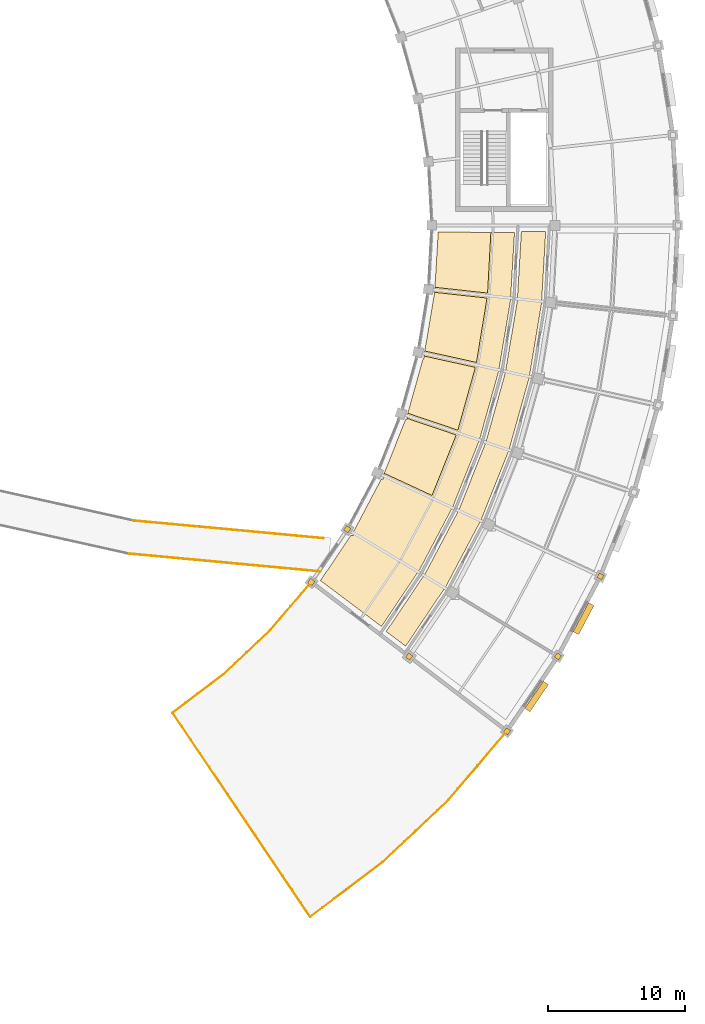
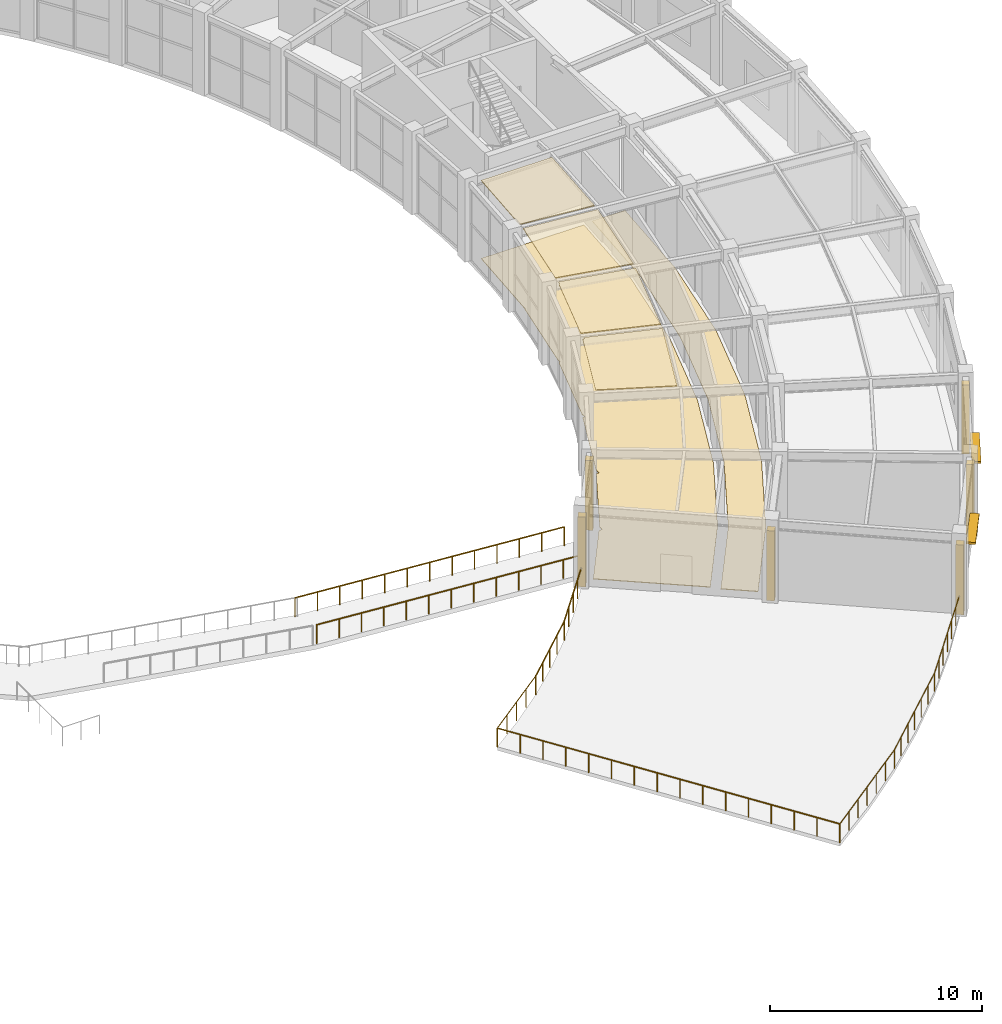
# One storey, part 97 of 100: 12 coverings, 9 railings, 2 shading devices.
"""IFC4 building model written with IfcOpenShell, lengths in metres."""

from ifc_helpers import new_model, si_unit, direction, frame, origin, origin_2d, place, context, subcontext, project, spatial, polyline, rectangle, circle, outline, extrude, material, layer, layer_set, type_object, element, save


model = new_model("IFC4")

# Units and contexts
model_context = context("Model", 3, precision=1e-05, world=origin(), true_north=direction((0.0, 1.0)))
body_context = subcontext(model_context, "Body", "Model", "MODEL_VIEW")
ifc_project = project(units=[si_unit("LENGTHUNIT", "METRE"), si_unit("AREAUNIT", "SQUARE_METRE"), si_unit("VOLUMEUNIT", "CUBIC_METRE"), si_unit("PLANEANGLEUNIT", "RADIAN"), si_unit("MASSUNIT", "GRAM", prefix="KILO")], contexts=[model_context])

# Site, building, storey
site_placement = place(None, origin())
site = spatial("IfcSite", under=ifc_project, at=site_placement, CompositionType="ELEMENT")
building_placement = place(site_placement, origin())
building = spatial("IfcBuilding", under=site, at=building_placement, Name="Tarnveldt Headland Concert Hall", CompositionType="ELEMENT")
storey_placement = place(building_placement, frame((0.0, 0.0, 4.800048828125)))
storey = spatial("IfcBuildingStorey", under=building, at=storey_placement, Name="L01", CompositionType="ELEMENT", Elevation=4.800048828125)

# Coverings
ifc_material_1 = material(Name="Micro-perforated mvule acoustic ceiling panel", Category="timber")
ifc_layer_1 = layer(ifc_material_1, 0.050048828125, Name="Micro-perforated mvule acoustic ceiling panel", Category="timber")
ifc_layer_set_1 = layer_set([ifc_layer_1], Name="Micro-perforated mvule acoustic ceiling panel")
covering_type_1 = type_object("IfcCoveringType", Name="CV-CEIL50", PredefinedType="CEILING", material=ifc_layer_set_1)
covering_1_placement = place(storey_placement, frame((0.0, 0.0, 4.489990234375)))
element("IfcCovering", 1, at=covering_1_placement, inside=storey, type_object=covering_type_1, Name="Acoustic mvule ceiling L01-37-226", PredefinedType="CEILING", context=body_context, shape_type="SweptSolid", body=[
    extrude(outline(polyline([(158.68798828125, 45.889892578125), (162.285400390625, 44.6748046875), (160.516357421875, 40.24658203125), (157.015380859375, 41.87060546875), (158.5751953125, 45.787353515625), (158.68798828125, 45.787353515625), (158.68798828125, 45.889892578125)])), origin(), (0.0, 0.0, 1.0), 0.050048828125),
])
covering_2_placement = place(storey_placement, frame((0.0, 0.0, 4.489990234375)))
element("IfcCovering", 2, at=covering_2_placement, inside=storey, type_object=covering_type_1, Name="Acoustic mvule ceiling L01-37-227", PredefinedType="CEILING", context=body_context, shape_type="SweptSolid", body=[
    extrude(outline(polyline([(159.86767578125, 50.28369140625), (159.939697265625, 50.28369140625), (159.939697265625, 50.445068359375), (163.6826171875, 49.619140625), (162.40380859375, 45.025146484375), (158.742919921875, 46.261962890625), (159.86767578125, 50.28369140625)])), origin(), (0.0, 0.0, 1.0), 0.050048828125),
])
covering_3_placement = place(storey_placement, frame((0.0, 0.0, 4.489990234375)))
element("IfcCovering", 3, at=covering_3_placement, inside=storey, type_object=covering_type_1, Name="Acoustic mvule ceiling L01-37-228", PredefinedType="CEILING", context=body_context, shape_type="SweptSolid", body=[
    extrude(outline(polyline([(160.702392578125, 55.095703125), (160.70263671875, 55.103515625), (164.535888671875, 54.685791015625), (163.762451171875, 49.98046875), (159.984375, 50.814208984375), (160.668701171875, 54.889404296875), (160.69677734375, 54.889404296875), (160.69677734375, 55.056396484375), (160.7001953125, 55.076904296875), (160.702392578125, 55.095703125)])), origin(), (0.0, 0.0, 1.0), 0.050048828125),
])
covering_4_placement = place(storey_placement, frame((0.0, 0.0, 4.489990234375)))
element("IfcCovering", 4, at=covering_4_placement, inside=storey, type_object=covering_type_1, Name="Acoustic mvule ceiling L01-37-229", PredefinedType="CEILING", context=body_context, shape_type="SweptSolid", body=[
    extrude(outline(polyline([(164.575927734375, 55.053466796875), (160.72509765625, 55.473388671875), (160.96826171875, 59.5166015625), (164.81689453125, 59.489501953125), (164.575927734375, 55.053466796875)])), origin(), (0.0, 0.0, 1.0), 0.050048828125),
])
ifc_material_2 = material(Name="Polished coral-aggregate cementitious terrazzo flooring", Category="concrete")
ifc_layer_2 = layer(ifc_material_2, 0.034912109375, Name="Polished coral-aggregate cementitious terrazzo flooring", Category="concrete")
ifc_layer_set_2 = layer_set([ifc_layer_2], Name="Polished coral-aggregate cementitious terrazzo flooring")
covering_type_2 = type_object("IfcCoveringType", Name="CV-FLOR35", PredefinedType="FLOORING", material=ifc_layer_set_2)
covering_5_placement = place(storey_placement, origin())
element("IfcCovering", 5, at=covering_5_placement, inside=storey, type_object=covering_type_2, Name="Architectural flooring L01-34-61", PredefinedType="FLOORING", context=body_context, shape_type="SweptSolid", body=[
    extrude(outline(polyline([(157.163818359375, 30.30029296875), (160.015625, 34.532470703125), (160.025390625, 34.549072265625), (162.4892578125, 39.2119140625), (162.497314453125, 39.2294921875), (164.44970703125, 44.128662109375), (164.455810546875, 44.14697265625), (165.87451171875, 49.226318359375), (165.878662109375, 49.2451171875), (166.74755859375, 54.447021484375), (166.749755859375, 54.466064453125), (167.049072265625, 59.560546875), (168.82861328125, 59.55126953125), (168.517578125, 54.257568359375), (167.614013671875, 48.84912109375), (166.13916015625, 43.568115234375), (164.109375, 38.474609375), (161.547607421875, 33.62646484375), (158.58447265625, 29.228515625), (157.163818359375, 30.30029296875)])), origin(), (0.0, 0.0, 1.0), 0.034912109375),
])
covering_6_placement = place(storey_placement, origin())
element("IfcCovering", 6, at=covering_6_placement, inside=storey, type_object=covering_type_2, Name="Architectural flooring L01-37-63", PredefinedType="FLOORING", context=body_context, shape_type="SweptSolid", body=[
    extrude(outline(polyline([(154.8349609375, 37.7158203125), (156.805419921875, 41.452880859375), (156.956298828125, 41.452880859375), (156.956298828125, 41.739501953125), (156.97998046875, 41.7841796875), (156.988037109375, 41.801513671875), (158.5751953125, 45.787353515625), (158.68798828125, 45.787353515625), (158.68798828125, 46.071044921875), (158.689453125, 46.07470703125), (158.69580078125, 46.0927734375), (159.86767578125, 50.28369140625), (159.939697265625, 50.28369140625), (159.939697265625, 50.548583984375), (160.668701171875, 54.889404296875), (160.69677734375, 54.889404296875), (160.69677734375, 55.056396484375), (160.7001953125, 55.076904296875), (160.702392578125, 55.095703125), (160.96826171875, 59.5166015625), (166.547607421875, 59.4775390625), (166.24560546875, 54.455810546875), (165.38232421875, 49.316650390625), (163.97900390625, 44.2978515625), (162.05126953125, 39.456298828125), (159.620849609375, 34.8466796875), (156.815673828125, 30.67041015625), (152.355712890625, 34.02294921875), (154.578369140625, 37.331787109375), (154.76513671875, 37.331787109375), (154.76513671875, 37.610107421875), (154.8251953125, 37.69921875), (154.8349609375, 37.7158203125)])), origin(), (0.0, 0.0, 1.0), 0.034912109375),
])
ifc_material_3 = material(Name="Coral-toned precast concrete C40/50", Category="concrete")
ifc_layer_3 = layer(ifc_material_3, 0.360107421875, Name="Coral-toned precast concrete C40/50", Category="concrete")
ifc_layer_set_3 = layer_set([ifc_layer_3], Name="Coral-toned precast concrete C40/50")
covering_type_3 = type_object("IfcCoveringType", Name="CV-JNT360", PredefinedType="CLADDING", material=ifc_layer_set_3)
for number, where, z_axis, x_axis, name in (
    (7, (151.690185546875, 33.922607421875, 0.0), (0.0, 0.0, 1.0), (0.562372049186, 0.826884319778, 0.0), "Precast facade joint closure pilaster L01-229"),
    (8, (154.315185546875, 37.781982421875, 0.0), (0.0, 0.0, 1.0), (0.562372049186, 0.826884319778, 0.0), "Precast facade joint closure pilaster L01-230"),
    (9, (158.84619140625, 28.464599609375, 0.0), (0.0, 0.0, 1.0), (-0.795156077043, 0.60640482612, 0.0), "Precast facade joint closure pilaster L01-232"),
    (10, (166.00244140625, 23.006591796875, 0.0), (0.0, 0.0, 1.0), (-0.562372049186, -0.826884319778, 0.0), "Precast facade joint closure pilaster L01-234"),
    (11, (169.726318359375, 28.481201171875, 0.0), (0.0, 0.0, 1.0), (-0.562372049186, -0.826884319778, 0.0), "Precast facade joint closure pilaster L01-236"),
):
    element("IfcCovering", number, at=place(storey_placement, frame(where, z_axis=z_axis, x_axis=x_axis)), inside=storey, type_object=covering_type_3, Name=name, PredefinedType="CLADDING", context=body_context, shape_type="SweptSolid", body=[
        extrude(rectangle(XDim=0.3798828125, YDim=0.3798828125, at=origin_2d()), origin(), (0.0, 0.0, 1.0), 4.028076171875),
    ])
covering_7_placement = place(storey_placement, frame((172.834716796875, 34.327392578125, 0.0), z_axis=(0.0, 0.0, 1.0), x_axis=(-0.469471562786, -0.882947592859, 0.0)))
element("IfcCovering", 12, at=covering_7_placement, inside=storey, type_object=covering_type_3, Name="Precast facade joint closure pilaster L01-238", PredefinedType="CLADDING", context=body_context, shape_type="SweptSolid", body=[
    extrude(rectangle(XDim=0.3798828125, YDim=0.3798828125, at=origin_2d()), origin(), (0.0, 0.0, 1.0), 3.97802734375),
])

# Railings
ifc_material_4 = material(Name="Marine stainless steel", Category="steel")
ifc_layer_4 = layer(ifc_material_4, 0.074951171875, Name="Marine stainless steel", Category="steel")
ifc_layer_set_4 = layer_set([ifc_layer_4], Name="Marine stainless steel")
railing_type = type_object("IfcRailingType", Name="RL-BAL110", PredefinedType="BALUSTRADE", material=ifc_layer_set_4)
railing_1_placement = place(storey_placement, frame((141.54541015625, 24.351318359375, 0.0)))
element("IfcRailing", 13, at=railing_1_placement, inside=storey, type_object=railing_type, Name="GUARD Crescent terrace south balustrade L01", PredefinedType="BALUSTRADE", context=body_context, shape_type="SweptSolid", body=[
    extrude(circle(Radius=0.02392578125, at=origin_2d()), frame((0.0, 0.0, 1.076171875), z_axis=(0.559193051927, -0.82903747242, 0.0), x_axis=(0.82903747242, 0.559193051927, 0.0)), (0.0, 0.0, 1.0), 18.0),
    extrude(circle(Radius=0.02099609375, at=origin_2d()), origin(), (0.0, 0.0, 1.0), 1.052001953125),
    extrude(circle(Radius=0.02099609375, at=origin_2d()), frame((0.671142578125, -0.994873046875, 0.0)), (0.0, 0.0, 1.0), 1.052001953125),
    extrude(circle(Radius=0.02099609375, at=origin_2d()), frame((1.342041015625, -1.98974609375, 0.0)), (0.0, 0.0, 1.0), 1.052001953125),
    extrude(circle(Radius=0.02099609375, at=origin_2d()), frame((2.01318359375, -2.984619140625, 0.0)), (0.0, 0.0, 1.0), 1.052001953125),
    extrude(circle(Radius=0.02099609375, at=origin_2d()), frame((2.68408203125, -3.979248046875, 0.0)), (0.0, 0.0, 1.0), 1.052001953125),
    extrude(circle(Radius=0.02099609375, at=origin_2d()), frame((3.355224609375, -4.97412109375, 0.0)), (0.0, 0.0, 1.0), 1.052001953125),
    extrude(circle(Radius=0.02099609375, at=origin_2d()), frame((4.026123046875, -5.968994140625, 0.0)), (0.0, 0.0, 1.0), 1.052001953125),
    extrude(circle(Radius=0.02099609375, at=origin_2d()), frame((4.697265625, -6.9638671875, 0.0)), (0.0, 0.0, 1.0), 1.052001953125),
    extrude(circle(Radius=0.02099609375, at=origin_2d()), frame((5.3681640625, -7.958740234375, 0.0)), (0.0, 0.0, 1.0), 1.052001953125),
    extrude(circle(Radius=0.02099609375, at=origin_2d()), frame((6.039306640625, -8.95361328125, 0.0)), (0.0, 0.0, 1.0), 1.052001953125),
    extrude(circle(Radius=0.02099609375, at=origin_2d()), frame((6.710205078125, -9.948486328125, 0.0)), (0.0, 0.0, 1.0), 1.052001953125),
    extrude(circle(Radius=0.02099609375, at=origin_2d()), frame((7.38134765625, -10.943359375, 0.0)), (0.0, 0.0, 1.0), 1.052001953125),
    extrude(circle(Radius=0.02099609375, at=origin_2d()), frame((8.05224609375, -11.93798828125, 0.0)), (0.0, 0.0, 1.0), 1.052001953125),
    extrude(circle(Radius=0.02099609375, at=origin_2d()), frame((8.723388671875, -12.932861328125, 0.0)), (0.0, 0.0, 1.0), 1.052001953125),
    extrude(circle(Radius=0.02099609375, at=origin_2d()), frame((9.394287109375, -13.927734375, 0.0)), (0.0, 0.0, 1.0), 1.052001953125),
    extrude(circle(Radius=0.02099609375, at=origin_2d()), frame((10.0654296875, -14.922607421875, 0.0)), (0.0, 0.0, 1.0), 1.052001953125),
])
railing_2_placement = place(storey_placement, frame((141.54541015625, 24.351318359375, 0.0)))
element("IfcRailing", 14, at=railing_2_placement, inside=storey, type_object=railing_type, Name="GUARD Crescent terrace inner balustrade L01-0", PredefinedType="BALUSTRADE", context=body_context, shape_type="SweptSolid", body=[
    extrude(circle(Radius=0.02392578125, at=origin_2d()), frame((0.0, 0.0, 1.076171875), z_axis=(0.797450601932, 0.603384237015, 0.0), x_axis=(-0.603384237015, 0.797450601932, 0.0)), (0.0, 0.0, 1.0), 4.667236328125),
    extrude(circle(Radius=0.02099609375, at=origin_2d()), origin(), (0.0, 0.0, 1.0), 1.052001953125),
    extrude(circle(Radius=0.02099609375, at=origin_2d()), frame((0.930419921875, 0.7041015625, 0.0)), (0.0, 0.0, 1.0), 1.052001953125),
    extrude(circle(Radius=0.02099609375, at=origin_2d()), frame((1.86083984375, 1.408203125, 0.0)), (0.0, 0.0, 1.0), 1.052001953125),
    extrude(circle(Radius=0.02099609375, at=origin_2d()), frame((2.79150390625, 2.112060546875, 0.0)), (0.0, 0.0, 1.0), 1.052001953125),
    extrude(circle(Radius=0.02099609375, at=origin_2d()), frame((3.721923828125, 2.816162109375, 0.0)), (0.0, 0.0, 1.0), 1.052001953125),
])
railing_3_placement = place(storey_placement, frame((151.61083984375, 9.4287109375, 0.0)))
element("IfcRailing", 15, at=railing_3_placement, inside=storey, type_object=railing_type, Name="GUARD Crescent terrace outer balustrade L01-0", PredefinedType="BALUSTRADE", context=body_context, shape_type="SweptSolid", body=[
    extrude(circle(Radius=0.02392578125, at=origin_2d()), frame((0.0, 0.0, 1.076171875), z_axis=(0.797479748056, 0.603345714695, 0.0), x_axis=(-0.603345714695, 0.797479748056, 0.0)), (0.0, 0.0, 1.0), 6.62109375),
    extrude(circle(Radius=0.02099609375, at=origin_2d()), origin(), (0.0, 0.0, 1.0), 1.052001953125),
    extrude(circle(Radius=0.02099609375, at=origin_2d()), frame((0.880126953125, 0.665771484375, 0.0)), (0.0, 0.0, 1.0), 1.052001953125),
    extrude(circle(Radius=0.02099609375, at=origin_2d()), frame((1.760009765625, 1.33154296875, 0.0)), (0.0, 0.0, 1.0), 1.052001953125),
    extrude(circle(Radius=0.02099609375, at=origin_2d()), frame((2.64013671875, 1.99755859375, 0.0)), (0.0, 0.0, 1.0), 1.052001953125),
    extrude(circle(Radius=0.02099609375, at=origin_2d()), frame((3.520263671875, 2.663330078125, 0.0)), (0.0, 0.0, 1.0), 1.052001953125),
    extrude(circle(Radius=0.02099609375, at=origin_2d()), frame((4.400146484375, 3.3291015625, 0.0)), (0.0, 0.0, 1.0), 1.052001953125),
    extrude(circle(Radius=0.02099609375, at=origin_2d()), frame((5.2802734375, 3.994873046875, 0.0)), (0.0, 0.0, 1.0), 1.052001953125),
])
railing_4_placement = place(storey_placement, frame((145.267333984375, 27.16748046875, 0.0)))
element("IfcRailing", 16, at=railing_4_placement, inside=storey, type_object=railing_type, Name="GUARD Crescent terrace inner balustrade L01-1", PredefinedType="BALUSTRADE", context=body_context, shape_type="SweptSolid", body=[
    extrude(circle(Radius=0.02392578125, at=origin_2d()), frame((0.0, 0.0, 1.076171875), z_axis=(0.727364094984, 0.686251756521, 0.0), x_axis=(-0.686251756521, 0.727364094984, 0.0)), (0.0, 0.0, 1.0), 4.66748046875),
    extrude(circle(Radius=0.02099609375, at=origin_2d()), origin(), (0.0, 0.0, 1.0), 1.052001953125),
    extrude(circle(Radius=0.02099609375, at=origin_2d()), frame((0.8486328125, 0.80078125, 0.0)), (0.0, 0.0, 1.0), 1.052001953125),
    extrude(circle(Radius=0.02099609375, at=origin_2d()), frame((1.697509765625, 1.6015625, 0.0)), (0.0, 0.0, 1.0), 1.052001953125),
    extrude(circle(Radius=0.02099609375, at=origin_2d()), frame((2.54638671875, 2.40234375, 0.0)), (0.0, 0.0, 1.0), 1.052001953125),
    extrude(circle(Radius=0.02099609375, at=origin_2d()), frame((3.39501953125, 3.203125, 0.0)), (0.0, 0.0, 1.0), 1.052001953125),
])
railing_5_placement = place(storey_placement, frame((156.89111328125, 13.423583984375, 0.0)))
element("IfcRailing", 17, at=railing_5_placement, inside=storey, type_object=railing_type, Name="GUARD Crescent terrace outer balustrade L01-1", PredefinedType="BALUSTRADE", context=body_context, shape_type="SweptSolid", body=[
    extrude(circle(Radius=0.02392578125, at=origin_2d()), frame((0.0, 0.0, 1.076171875), z_axis=(0.727346422905, 0.686270486825, 0.0), x_axis=(-0.686270486825, 0.727346422905, 0.0)), (0.0, 0.0, 1.0), 6.621337890625),
    extrude(circle(Radius=0.02099609375, at=origin_2d()), origin(), (0.0, 0.0, 1.0), 1.052001953125),
    extrude(circle(Radius=0.02099609375, at=origin_2d()), frame((0.802734375, 0.75732421875, 0.0)), (0.0, 0.0, 1.0), 1.052001953125),
    extrude(circle(Radius=0.02099609375, at=origin_2d()), frame((1.605224609375, 1.5146484375, 0.0)), (0.0, 0.0, 1.0), 1.052001953125),
    extrude(circle(Radius=0.02099609375, at=origin_2d()), frame((2.407958984375, 2.27197265625, 0.0)), (0.0, 0.0, 1.0), 1.052001953125),
    extrude(circle(Radius=0.02099609375, at=origin_2d()), frame((3.210693359375, 3.029296875, 0.0)), (0.0, 0.0, 1.0), 1.052001953125),
    extrude(circle(Radius=0.02099609375, at=origin_2d()), frame((4.01318359375, 3.78662109375, 0.0)), (0.0, 0.0, 1.0), 1.052001953125),
    extrude(circle(Radius=0.02099609375, at=origin_2d()), frame((4.81591796875, 4.5439453125, 0.0)), (0.0, 0.0, 1.0), 1.052001953125),
])
railing_6_placement = place(storey_placement, frame((148.662353515625, 30.37060546875, 0.0)))
element("IfcRailing", 18, at=railing_6_placement, inside=storey, type_object=railing_type, Name="GUARD Crescent terrace inner balustrade L01-2", PredefinedType="BALUSTRADE", context=body_context, shape_type="SweptSolid", body=[
    extrude(circle(Radius=0.02392578125, at=origin_2d()), frame((0.0, 0.0, 1.076171875), z_axis=(0.648721263833, 0.761026098009, 0.0), x_axis=(-0.761026098009, 0.648721263833, 0.0)), (0.0, 0.0, 1.0), 4.66748046875),
    extrude(circle(Radius=0.02099609375, at=origin_2d()), origin(), (0.0, 0.0, 1.0), 1.052001953125),
    extrude(circle(Radius=0.02099609375, at=origin_2d()), frame((0.7568359375, 0.887939453125, 0.0)), (0.0, 0.0, 1.0), 1.052001953125),
    extrude(circle(Radius=0.02099609375, at=origin_2d()), frame((1.513916015625, 1.77587890625, 0.0)), (0.0, 0.0, 1.0), 1.052001953125),
    extrude(circle(Radius=0.02099609375, at=origin_2d()), frame((2.27099609375, 2.6640625, 0.0)), (0.0, 0.0, 1.0), 1.052001953125),
    extrude(circle(Radius=0.02099609375, at=origin_2d()), frame((3.02783203125, 3.552001953125, 0.0)), (0.0, 0.0, 1.0), 1.052001953125),
])
railing_7_placement = place(storey_placement, frame((161.70703125, 17.967529296875, 0.0)))
element("IfcRailing", 19, at=railing_7_placement, inside=storey, type_object=railing_type, Name="GUARD Crescent terrace outer balustrade L01-2", PredefinedType="BALUSTRADE", context=body_context, shape_type="SweptSolid", body=[
    extrude(circle(Radius=0.02392578125, at=origin_2d()), frame((0.0, 0.0, 1.076171875), z_axis=(0.6487180729, 0.761028818044, 0.0), x_axis=(-0.761028818044, 0.6487180729, 0.0)), (0.0, 0.0, 1.0), 6.621337890625),
    extrude(circle(Radius=0.02099609375, at=origin_2d()), origin(), (0.0, 0.0, 1.0), 1.052001953125),
    extrude(circle(Radius=0.02099609375, at=origin_2d()), frame((0.7158203125, 0.83984375, 0.0)), (0.0, 0.0, 1.0), 1.052001953125),
    extrude(circle(Radius=0.02099609375, at=origin_2d()), frame((1.431884765625, 1.6796875, 0.0)), (0.0, 0.0, 1.0), 1.052001953125),
    extrude(circle(Radius=0.02099609375, at=origin_2d()), frame((2.147705078125, 2.51953125, 0.0)), (0.0, 0.0, 1.0), 1.052001953125),
    extrude(circle(Radius=0.02099609375, at=origin_2d()), frame((2.863525390625, 3.359375, 0.0)), (0.0, 0.0, 1.0), 1.052001953125),
    extrude(circle(Radius=0.02099609375, at=origin_2d()), frame((3.57958984375, 4.19921875, 0.0)), (0.0, 0.0, 1.0), 1.052001953125),
    extrude(circle(Radius=0.02099609375, at=origin_2d()), frame((4.29541015625, 5.0390625, 0.0)), (0.0, 0.0, 1.0), 1.052001953125),
])
railing_8_placement = place(storey_placement, frame((138.6328125, 38.412841796875, 0.0)))
element("IfcRailing", 20, at=railing_8_placement, inside=storey, type_object=railing_type, Name="GUARD Bridge north balustrade 3", PredefinedType="BALUSTRADE", context=body_context, shape_type="SweptSolid", body=[
    extrude(circle(Radius=0.02392578125, at=origin_2d()), frame((0.0, 0.0, 1.076171875), z_axis=(0.995710340249, -0.092525230727, 0.0), x_axis=(0.092525230727, 0.995710340249, 0.0)), (0.0, 0.0, 1.0), 13.995361328125),
    extrude(circle(Radius=0.02099609375, at=origin_2d()), origin(), (0.0, 0.0, 1.0), 1.052001953125),
    extrude(circle(Radius=0.02099609375, at=origin_2d()), frame((1.161376953125, -0.10791015625, 0.0)), (0.0, 0.0, 1.0), 1.052001953125),
    extrude(circle(Radius=0.02099609375, at=origin_2d()), frame((2.322509765625, -0.2158203125, 0.0)), (0.0, 0.0, 1.0), 1.052001953125),
    extrude(circle(Radius=0.02099609375, at=origin_2d()), frame((3.48388671875, -0.32373046875, 0.0)), (0.0, 0.0, 1.0), 1.052001953125),
    extrude(circle(Radius=0.02099609375, at=origin_2d()), frame((4.64501953125, -0.431640625, 0.0)), (0.0, 0.0, 1.0), 1.052001953125),
    extrude(circle(Radius=0.02099609375, at=origin_2d()), frame((5.806396484375, -0.53955078125, 0.0)), (0.0, 0.0, 1.0), 1.052001953125),
    extrude(circle(Radius=0.02099609375, at=origin_2d()), frame((6.9677734375, -0.6474609375, 0.0)), (0.0, 0.0, 1.0), 1.052001953125),
    extrude(circle(Radius=0.02099609375, at=origin_2d()), frame((8.12890625, -0.75537109375, 0.0)), (0.0, 0.0, 1.0), 1.052001953125),
    extrude(circle(Radius=0.02099609375, at=origin_2d()), frame((9.290283203125, -0.86328125, 0.0)), (0.0, 0.0, 1.0), 1.052001953125),
    extrude(circle(Radius=0.02099609375, at=origin_2d()), frame((10.451416015625, -0.97119140625, 0.0)), (0.0, 0.0, 1.0), 1.052001953125),
    extrude(circle(Radius=0.02099609375, at=origin_2d()), frame((11.61279296875, -1.0791015625, 0.0)), (0.0, 0.0, 1.0), 1.052001953125),
    extrude(circle(Radius=0.02099609375, at=origin_2d()), frame((12.77392578125, -1.18701171875, 0.0)), (0.0, 0.0, 1.0), 1.052001953125),
    extrude(circle(Radius=0.02099609375, at=origin_2d()), frame((13.935302734375, -1.294921875, 0.0)), (0.0, 0.0, 1.0), 1.052001953125),
])
railing_9_placement = place(storey_placement, frame((138.406982421875, 35.9833984375, 0.0)))
element("IfcRailing", 21, at=railing_9_placement, inside=storey, type_object=railing_type, Name="GUARD Bridge south balustrade 3", PredefinedType="BALUSTRADE", context=body_context, shape_type="SweptSolid", body=[
    extrude(circle(Radius=0.02392578125, at=origin_2d()), frame((0.0, 0.0, 1.076171875), z_axis=(0.995710340249, -0.092525230727, 0.0), x_axis=(0.092525230727, 0.995710340249, 0.0)), (0.0, 0.0, 1.0), 13.995361328125),
    extrude(circle(Radius=0.02099609375, at=origin_2d()), origin(), (0.0, 0.0, 1.0), 1.052001953125),
    extrude(circle(Radius=0.02099609375, at=origin_2d()), frame((1.161376953125, -0.10791015625, 0.0)), (0.0, 0.0, 1.0), 1.052001953125),
    extrude(circle(Radius=0.02099609375, at=origin_2d()), frame((2.322509765625, -0.2158203125, 0.0)), (0.0, 0.0, 1.0), 1.052001953125),
    extrude(circle(Radius=0.02099609375, at=origin_2d()), frame((3.48388671875, -0.32373046875, 0.0)), (0.0, 0.0, 1.0), 1.052001953125),
    extrude(circle(Radius=0.02099609375, at=origin_2d()), frame((4.64501953125, -0.431640625, 0.0)), (0.0, 0.0, 1.0), 1.052001953125),
    extrude(circle(Radius=0.02099609375, at=origin_2d()), frame((5.806396484375, -0.53955078125, 0.0)), (0.0, 0.0, 1.0), 1.052001953125),
    extrude(circle(Radius=0.02099609375, at=origin_2d()), frame((6.9677734375, -0.6474609375, 0.0)), (0.0, 0.0, 1.0), 1.052001953125),
    extrude(circle(Radius=0.02099609375, at=origin_2d()), frame((8.12890625, -0.75537109375, 0.0)), (0.0, 0.0, 1.0), 1.052001953125),
    extrude(circle(Radius=0.02099609375, at=origin_2d()), frame((9.290283203125, -0.86328125, 0.0)), (0.0, 0.0, 1.0), 1.052001953125),
    extrude(circle(Radius=0.02099609375, at=origin_2d()), frame((10.451416015625, -0.97119140625, 0.0)), (0.0, 0.0, 1.0), 1.052001953125),
    extrude(circle(Radius=0.02099609375, at=origin_2d()), frame((11.61279296875, -1.0791015625, 0.0)), (0.0, 0.0, 1.0), 1.052001953125),
    extrude(circle(Radius=0.02099609375, at=origin_2d()), frame((12.77392578125, -1.18701171875, 0.0)), (0.0, 0.0, 1.0), 1.052001953125),
    extrude(circle(Radius=0.02099609375, at=origin_2d()), frame((13.935302734375, -1.294921875, 0.0)), (0.0, 0.0, 1.0), 1.052001953125),
])

# Shading devices
ifc_material_5 = material(Name="Terracotta-anodised aluminium EN AW-6063-T6", Category="masonry")
shading_device_type = type_object("IfcShadingDeviceType", Name="SD-LVR450", PredefinedType="USERDEFINED", material=ifc_material_5)
for number, where, z_axis, x_axis, name in (
    (22, (168.159912109375, 25.542724609375, 2.469970703125), (0.0, 0.0, 1.0), (0.826884319778, -0.562372049186, 0.0), "Crescent coastal solar louvre L01-4"),
    (23, (171.59619140625, 31.236572265625, 2.469970703125), (0.0, 0.0, 1.0), (0.882947592859, -0.469471562786, 0.0), "Crescent coastal solar louvre L01-5"),
):
    element("IfcShadingDevice", number, at=place(storey_placement, frame(where, z_axis=z_axis, x_axis=x_axis)), inside=storey, type_object=shading_device_type, Name=name, ObjectType="LOUVRE", PredefinedType="USERDEFINED", context=body_context, shape_type="SweptSolid", body=[
        extrude(rectangle(XDim=0.449951171875, YDim=2.39990234375, at=origin_2d()), origin(), (0.0, 0.0, 1.0), 0.1201171875),
    ])

save(model, "model.ifc")
